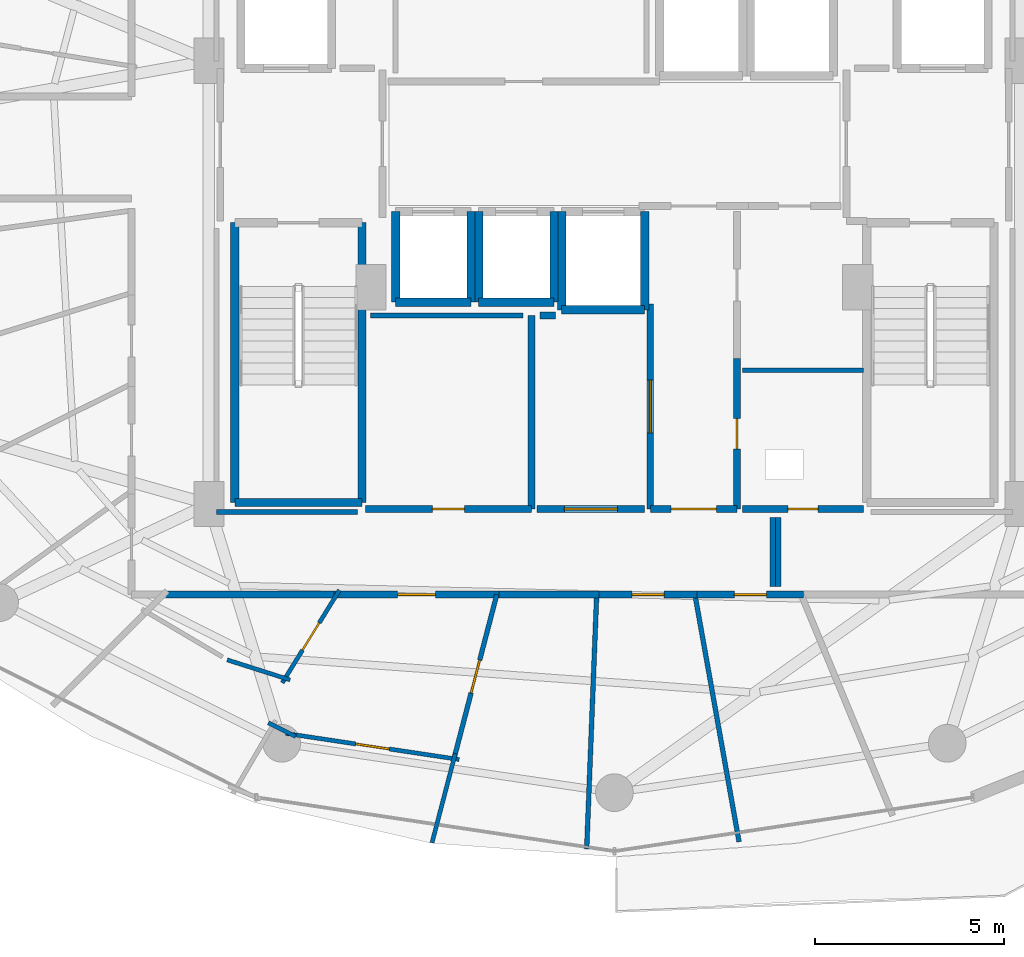
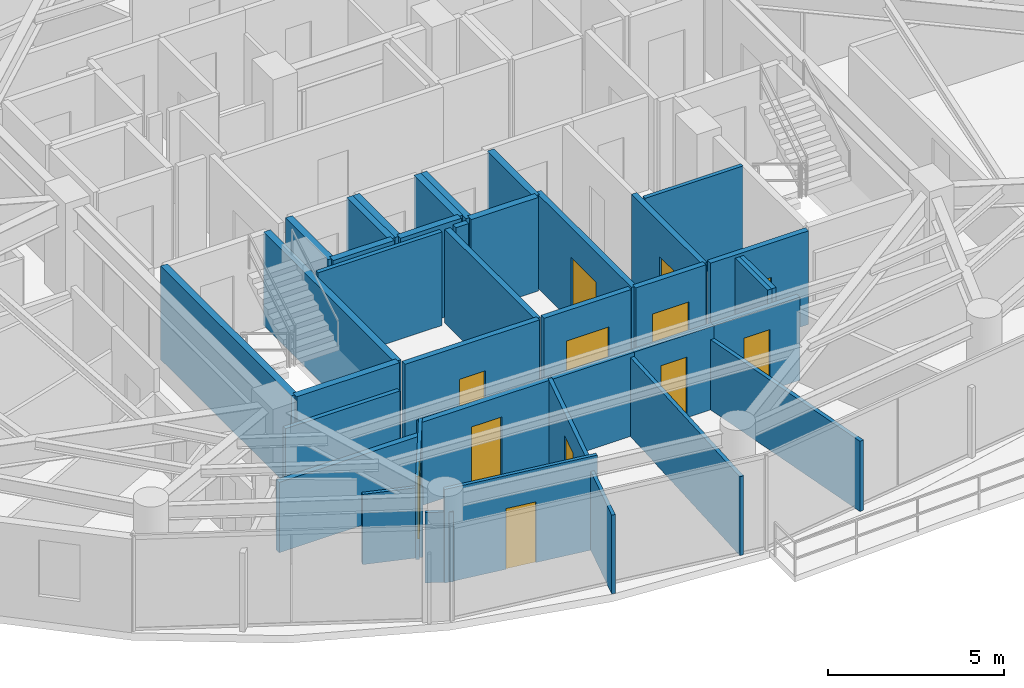
# One storey, part 21 of 29: 38 walls, 12 doors, 12 openings.
"""IFC4 building model written with IfcOpenShell, lengths in metres."""

from ifc_helpers import new_model, si_unit, direction, frame, frame_2d, origin, place, context, subcontext, project, spatial, rectangle, extrude, material, layer, layer_set, type_object, element, fill, save


model = new_model("IFC4")

# Units and contexts
model_context = context("Model", 3, precision=1e-05, world=origin(), true_north=direction((0.0, 1.0)))
body_context = subcontext(model_context, "Body", "Model", "MODEL_VIEW")
ifc_project = project(units=[si_unit("LENGTHUNIT", "METRE"), si_unit("AREAUNIT", "SQUARE_METRE"), si_unit("VOLUMEUNIT", "CUBIC_METRE"), si_unit("PLANEANGLEUNIT", "RADIAN"), si_unit("MASSUNIT", "GRAM", prefix="KILO")], contexts=[model_context])

# Site, building, storey
site_placement = place(None, origin())
site = spatial("IfcSite", under=ifc_project, at=site_placement, CompositionType="ELEMENT")
building_placement = place(site_placement, origin())
building = spatial("IfcBuilding", under=site, at=building_placement, Name="Vorneva Point Tower", CompositionType="ELEMENT")
storey_placement = place(building_placement, frame((0.0, 0.0, 167.60009765625)))
storey = spatial("IfcBuildingStorey", under=building, at=storey_placement, Name="L45", CompositionType="ELEMENT", Elevation=167.60009765625)

# Wall, opening, door
ifc_material_1 = material(Name="Fire-rated acoustic gypsum stud partition", Category="gypsum")
ifc_layer_1 = layer(ifc_material_1, 0.110107421875)
ifc_layer_set_1 = layer_set([ifc_layer_1], Name="Fire-rated acoustic gypsum stud partition")
wall_type_1 = type_object("IfcWallType", Name="WL-PART-110", PredefinedType="PARTITIONING", material=ifc_layer_set_1)
wall_1_placement = place(storey_placement, frame((30.71142578125, 14.169189453125, 0.0), z_axis=(0.0, 0.0, 1.0), x_axis=(-0.524536274856, -0.851388099729, 0.0)))
wall_1 = element("IfcWall", 1, at=wall_1_placement, inside=storey, type_object=wall_type_1, Name="L45 Interior Partition 100", PredefinedType="PARTITIONING", context=body_context, shape_type="SweptSolid", body=[
    extrude(rectangle(XDim=2.88623046875, YDim=0.110107421875, at=frame_2d((1.443115234375, 0.0))), origin(), (0.0, 0.0, 1.0), 2.8740234375),
])
opening_1_placement = place(wall_1_placement, frame((1.01806640625, 0.0, 0.0)))
opening_1 = element("IfcOpeningElement", 2, at=opening_1_placement, cuts=wall_1, Name="Opening ID-02", PredefinedType="OPENING", context=body_context, shape_type="SweptSolid", body=[
    extrude(rectangle(XDim=0.85009765625, YDim=2.10009765625, at=frame_2d((0.425048828125, 1.050048828125))), frame((0.0, 0.06982421875, 0.0), z_axis=(0.0, -1.0, 0.0), x_axis=(1.0, 0.0, 0.0)), (0.0, 0.0, 1.0), 0.139892578125),
])
ifc_material_2 = material(Name="Engineered oak fire-rated door leaf", Category="wood")
door_type_1 = type_object("IfcDoorType", Name="DR-BATH-850", OperationType="NOTDEFINED", PredefinedType="DOOR", material=ifc_material_2)
door_1_placement = place(opening_1_placement, origin())
door_1 = element("IfcDoor", 3, at=door_1_placement, inside=storey, type_object=door_type_1, Name="L45 Door Living and Dining Room L45-05 / Bathroom L45-05", OperationType="SINGLE_SWING_RIGHT", OverallHeight=2.10009765625, OverallWidth=0.85009765625, PredefinedType="DOOR", context=body_context, shape_type="SweptSolid", body=[
    extrude(rectangle(XDim=0.85009765625, YDim=2.10009765625, at=frame_2d((0.425048828125, 1.050048828125))), frame((0.0, 0.02490234375, 0.0), z_axis=(0.0, -1.0, 0.0), x_axis=(1.0, 0.0, 0.0)), (0.0, 0.0, 1.0), 0.050048828125),
])
fill(opening_1, door_1)

# Walls
wall_2_placement = place(storey_placement, frame((29.404296875, 11.788330078125, 0.0), z_axis=(0.0, 0.0, 1.0), x_axis=(-0.952663508426, 0.304026708881, 0.0)))
element("IfcWall", 4, at=wall_2_placement, inside=storey, type_object=wall_type_1, Name="L45 Interior Partition 101", PredefinedType="PARTITIONING", context=body_context, shape_type="SweptSolid", body=[
    extrude(rectangle(XDim=1.75048828125, YDim=0.110107421875, at=frame_2d((0.875244140625, 0.0))), origin(), (0.0, 0.0, 1.0), 2.431884765625),
])
wall_3_placement = place(storey_placement, frame((28.8271484375, 10.6533203125, 0.0), z_axis=(0.0, 0.0, 1.0), x_axis=(0.892195428052, -0.451649552378, 0.0)))
element("IfcWall", 5, at=wall_3_placement, inside=storey, type_object=wall_type_1, Name="L45 Interior Partition 104", PredefinedType="PARTITIONING", context=body_context, shape_type="SweptSolid", body=[
    extrude(rectangle(XDim=0.8134765625, YDim=0.110107421875, at=frame_2d((0.40673828125, 0.0))), origin(), (0.0, 0.0, 1.0), 2.431884765625),
])

# Wall, opening, door
wall_4_placement = place(storey_placement, frame((29.28955078125, 10.369873046875, 0.0), z_axis=(0.0, 0.0, 1.0), x_axis=(0.988895858235, -0.148610166425, 0.0)))
wall_4 = element("IfcWall", 6, at=wall_4_placement, inside=storey, type_object=wall_type_1, Name="L45 Interior Partition 105", PredefinedType="PARTITIONING", context=body_context, shape_type="SweptSolid", body=[
    extrude(rectangle(XDim=4.6474609375, YDim=0.110107421875, at=frame_2d((2.32373046875, 0.0))), origin(), (0.0, 0.0, 1.0), 3.239990234375),
])
opening_2_placement = place(wall_4_placement, frame((1.873779296875, 0.0, 0.0)))
opening_2 = element("IfcOpeningElement", 7, at=opening_2_placement, cuts=wall_4, Name="Opening ID-01", PredefinedType="OPENING", context=body_context, shape_type="SweptSolid", body=[
    extrude(rectangle(XDim=0.89990234375, YDim=2.10009765625, at=frame_2d((0.449951171875, 1.050048828125))), frame((0.0, 0.06982421875, 0.0), z_axis=(0.0, -1.0, 0.0), x_axis=(1.0, 0.0, 0.0)), (0.0, 0.0, 1.0), 0.139892578125),
])
door_type_2 = type_object("IfcDoorType", Name="DR-ROOM-900", OperationType="NOTDEFINED", PredefinedType="DOOR", material=ifc_material_2)
door_2_placement = place(opening_2_placement, origin())
door_2 = element("IfcDoor", 8, at=door_2_placement, inside=storey, type_object=door_type_2, Name="L45 Door Living and Dining Room L45-05 / Kitchen L45-05", OperationType="SINGLE_SWING_LEFT", OverallHeight=2.10009765625, OverallWidth=0.89990234375, PredefinedType="DOOR", context=body_context, shape_type="SweptSolid", body=[
    extrude(rectangle(XDim=0.89990234375, YDim=2.10009765625, at=frame_2d((0.449951171875, 1.050048828125))), frame((0.0, 0.02490234375, 0.0), z_axis=(0.0, -1.0, 0.0), x_axis=(1.0, 0.0, 0.0)), (0.0, 0.0, 1.0), 0.050048828125),
])
fill(opening_2, door_2)

# Walls
wall_5_placement = place(storey_placement, frame((33.16552734375, 7.473388671875, 0.0), z_axis=(0.0, 0.0, 1.0), x_axis=(0.252710924929, 0.967541827737, 0.0)))
element("IfcWall", 9, at=wall_5_placement, inside=storey, type_object=wall_type_1, Name="L45 Interior Partition 108", PredefinedType="PARTITIONING", context=body_context, shape_type="SweptSolid", body=[
    extrude(rectangle(XDim=2.44140625, YDim=0.110107421875, at=frame_2d((1.220703125, 0.0))), origin(), (0.0, 0.0, 1.0), 2.727783203125),
])
ifc_layer_2 = layer(ifc_material_1, 0.125)
ifc_layer_set_2 = layer_set([ifc_layer_2], Name="Fire-rated acoustic gypsum stud partition")
wall_type_2 = type_object("IfcWallType", Name="WL-PART-125", PredefinedType="PARTITIONING", material=ifc_layer_set_2)
wall_6_placement = place(storey_placement, frame((44.60009765625, 20.0, 0.0), z_axis=(0.0, 0.0, 1.0), x_axis=(-1.0, 0.0, 0.0)))
element("IfcWall", 10, at=wall_6_placement, inside=storey, type_object=wall_type_2, Name="L45 Interior Partition 017", PredefinedType="PARTITIONING", context=body_context, shape_type="SweptSolid", body=[
    extrude(rectangle(XDim=3.2001953125, YDim=0.125, at=frame_2d((1.60009765625, 0.0))), origin(), (0.0, 0.0, 1.0), 3.239990234375),
])

# Wall, opening, door
wall_7_placement = place(storey_placement, frame((33.7470703125, 9.699951171875, 0.0), z_axis=(0.0, 0.0, 1.0), x_axis=(0.252463899176, 0.967606314372, 0.0)))
wall_7 = element("IfcWall", 11, at=wall_7_placement, inside=storey, type_object=wall_type_2, Name="L45 Interior Partition 107", PredefinedType="PARTITIONING", context=body_context, shape_type="SweptSolid", body=[
    extrude(rectangle(XDim=4.495849609375, YDim=0.125, at=frame_2d((2.248046875, 0.0))), origin(), (0.0, 0.0, 1.0), 2.8740234375),
])
opening_3_placement = place(wall_7_placement, frame((1.7978515625, 0.0, 0.0)))
opening_3 = element("IfcOpeningElement", 12, at=opening_3_placement, cuts=wall_7, Name="Opening ID-01", PredefinedType="OPENING", context=body_context, shape_type="SweptSolid", body=[
    extrude(rectangle(XDim=0.89990234375, YDim=2.10009765625, at=frame_2d((0.449951171875, 1.050048828125))), frame((0.0, 0.077392578125, 0.0), z_axis=(0.0, -1.0, 0.0), x_axis=(1.0, 0.0, 0.0)), (0.0, 0.0, 1.0), 0.15478515625),
])
door_3_placement = place(opening_3_placement, origin())
door_3 = element("IfcDoor", 13, at=door_3_placement, inside=storey, type_object=door_type_2, Name="L45 Door Living and Dining Room L45-05 / Master Bedroom L45-05.1", OperationType="SINGLE_SWING_RIGHT", OverallHeight=2.10009765625, OverallWidth=0.89990234375, PredefinedType="DOOR", context=body_context, shape_type="SweptSolid", body=[
    extrude(rectangle(XDim=0.89990234375, YDim=2.10009765625, at=frame_2d((0.449951171875, 1.050048828125))), frame((0.0, 0.02490234375, 0.0), z_axis=(0.0, -1.0, 0.0), x_axis=(1.0, 0.0, 0.0)), (0.0, 0.0, 1.0), 0.050048828125),
])
fill(opening_3, door_3)

# Walls
wall_8_placement = place(storey_placement, frame((37.264892578125, 7.304931640625, 0.0), z_axis=(0.0, 0.0, 1.0), x_axis=(0.039277615957, 0.99922833671, 0.0)))
element("IfcWall", 14, at=wall_8_placement, inside=storey, type_object=wall_type_2, Name="L45 Interior Partition 109", PredefinedType="PARTITIONING", context=body_context, shape_type="SweptSolid", body=[
    extrude(rectangle(XDim=6.750244140625, YDim=0.125, at=frame_2d((3.375, 0.0))), origin(), (0.0, 0.0, 1.0), 2.727783203125),
])
wall_9_placement = place(storey_placement, frame((41.303955078125, 7.4970703125, 0.0), z_axis=(0.0, 0.0, 1.0), x_axis=(-0.175753825846, 0.984434148484, 0.0)))
element("IfcWall", 15, at=wall_9_placement, inside=storey, type_object=wall_type_2, Name="L45 Interior Partition 110", PredefinedType="PARTITIONING", context=body_context, shape_type="SweptSolid", body=[
    extrude(rectangle(XDim=6.656494140625, YDim=0.125, at=frame_2d((3.328125, 0.0))), origin(), (0.0, 0.0, 1.0), 2.431884765625),
])
ifc_layer_3 = layer(ifc_material_1, 0.139892578125)
ifc_layer_set_3 = layer_set([ifc_layer_3], Name="Fire-rated acoustic gypsum stud partition")
wall_type_3 = type_object("IfcWallType", Name="WL-PART-140", PredefinedType="PARTITIONING", material=ifc_layer_set_3)
wall_10_placement = place(storey_placement, frame((35.580078125, 21.449951171875, 0.0), z_axis=(0.0, 0.0, 1.0), x_axis=(-1.0, 0.0, 0.0)))
element("IfcWall", 16, at=wall_10_placement, inside=storey, type_object=wall_type_3, Name="L45 Interior Closure Partition 117", PredefinedType="PARTITIONING", context=body_context, shape_type="SweptSolid", body=[
    extrude(rectangle(XDim=4.050048828125, YDim=0.139892578125, at=frame_2d((2.02490234375, 0.0))), origin(), (0.0, 0.0, 1.0), 3.239990234375),
])
wall_11_placement = place(storey_placement, frame((27.449951171875, 16.239990234375, 0.0), z_axis=(0.0, 0.0, 1.0), x_axis=(1.0, 0.0, 0.0)))
element("IfcWall", 17, at=wall_11_placement, inside=storey, type_object=wall_type_3, Name="L45 Interior Closure Partition 128", PredefinedType="PARTITIONING", context=body_context, shape_type="SweptSolid", body=[
    extrude(rectangle(XDim=3.7451171875, YDim=0.139892578125, at=frame_2d((1.87255859375, 0.0))), origin(), (0.0, 0.0, 1.0), 2.431884765625),
])
for number, where, z_axis, x_axis, name in (
    (18, (42.199951171875, 16.10009765625, 0.0), (0.0, 0.0, 1.0), (0.0, -1.0, 0.0), "L45 Interior Closure Partition 129"),
    (19, (42.340087890625, 14.27001953125, 0.0), (0.0, 0.0, 1.0), (0.0, 1.0, 0.0), "L45 Interior Closure Partition 130"),
):
    element("IfcWall", number, at=place(storey_placement, frame(where, z_axis=z_axis, x_axis=x_axis)), inside=storey, type_object=wall_type_3, Name=name, PredefinedType="PARTITIONING", context=body_context, shape_type="SweptSolid", body=[
        extrude(rectangle(XDim=1.830078125, YDim=0.139892578125, at=frame_2d((0.9150390625, 0.0))), origin(), (0.0, 0.0, 1.0), 3.239990234375),
    ])

# Wall, opening, door
ifc_material_3 = material(Name="Autoclaved aerated concrete blockwork", Category="masonry")
ifc_layer_4 = layer(ifc_material_3, 0.179931640625)
ifc_layer_set_4 = layer_set([ifc_layer_4], Name="Autoclaved aerated concrete blockwork")
wall_type_4 = type_object("IfcWallType", Name="WL-PART-180", PredefinedType="PARTITIONING", material=ifc_layer_set_4)
wall_12_placement = place(storey_placement, frame((41.25, 16.320068359375, 0.0), z_axis=(0.0, 0.0, 1.0), x_axis=(0.0, 1.0, 0.0)))
wall_12 = element("IfcWall", 20, at=wall_12_placement, inside=storey, type_object=wall_type_4, Name="L45 Interior Partition 013", PredefinedType="PARTITIONING", context=body_context, shape_type="SweptSolid", body=[
    extrude(rectangle(XDim=3.98486328125, YDim=0.179931640625, at=frame_2d((1.992431640625, 0.0))), origin(), (0.0, 0.0, 1.0), 3.239990234375),
])
opening_4_placement = place(wall_12_placement, frame((1.592529296875, 0.0, 0.0)))
opening_4 = element("IfcOpeningElement", 21, at=opening_4_placement, cuts=wall_12, Name="Opening RD-01", PredefinedType="OPENING", context=body_context, shape_type="SweptSolid", body=[
    extrude(rectangle(XDim=0.800048828125, YDim=2.050048828125, at=frame_2d((0.39990234375, 1.02490234375))), frame((0.0, 0.10498046875, 0.0), z_axis=(0.0, -1.0, 0.0), x_axis=(1.0, 0.0, 0.0)), (0.0, 0.0, 1.0), 0.209716796875),
])
ifc_material_4 = material(Name="Fire-rated powder-coated steel", Category="steel")
door_type_3 = type_object("IfcDoorType", Name="DR-RSR-800", OperationType="SINGLE_SWING_LEFT", PredefinedType="DOOR", material=ifc_material_4)
door_4_placement = place(opening_4_placement, origin())
door_4 = element("IfcDoor", 22, at=door_4_placement, inside=storey, type_object=door_type_3, Name="L45 Door Core Service Lobby / Electrical Riser", OperationType="SINGLE_SWING_LEFT", OverallHeight=2.050048828125, OverallWidth=0.800048828125, PredefinedType="DOOR", context=body_context, shape_type="SweptSolid", body=[
    extrude(rectangle(XDim=0.800048828125, YDim=2.050048828125, at=frame_2d((0.39990234375, 1.02490234375))), frame((0.0, 0.02490234375, 0.0), z_axis=(0.0, -1.0, 0.0), x_axis=(1.0, 0.0, 0.0)), (0.0, 0.0, 1.0), 0.050048828125),
])
fill(opening_4, door_4)

wall_13_placement = place(storey_placement, frame((38.949951171875, 21.7548828125, 0.0), z_axis=(0.0, 0.0, 1.0), x_axis=(0.0, -1.0, 0.0)))
wall_13 = element("IfcWall", 23, at=wall_13_placement, inside=storey, type_object=wall_type_4, Name="L45 Interior Partition 015", PredefinedType="PARTITIONING", context=body_context, shape_type="SweptSolid", body=[
    extrude(rectangle(XDim=5.434814453125, YDim=0.179931640625, at=frame_2d((2.71728515625, 0.0))), origin(), (0.0, 0.0, 1.0), 3.239990234375),
])
opening_5_placement = place(wall_13_placement, frame((2.017578125, 0.0, 0.0)))
opening_5 = element("IfcOpeningElement", 24, at=opening_5_placement, cuts=wall_13, Name="Opening FD-03", PredefinedType="OPENING", context=body_context, shape_type="SweptSolid", body=[
    extrude(rectangle(XDim=1.39990234375, YDim=2.199951171875, at=frame_2d((0.699951171875, 1.10009765625))), frame((0.0, 0.10498046875, 0.0), z_axis=(0.0, -1.0, 0.0), x_axis=(1.0, 0.0, 0.0)), (0.0, 0.0, 1.0), 0.209716796875),
])
door_type_4 = type_object("IfcDoorType", Name="DR-PLT-1400", OperationType="DOUBLE_SWING_LEFT", PredefinedType="DOOR", material=ifc_material_4)
door_5_placement = place(opening_5_placement, origin())
door_5 = element("IfcDoor", 25, at=door_5_placement, inside=storey, type_object=door_type_4, Name="L45 Door Core Service Lobby / Telecoms and Data Room", OperationType="DOUBLE_SWING_LEFT", OverallHeight=2.199951171875, OverallWidth=1.39990234375, PredefinedType="DOOR", context=body_context, shape_type="SweptSolid", body=[
    extrude(rectangle(XDim=1.39990234375, YDim=2.199951171875, at=frame_2d((0.699951171875, 1.10009765625))), frame((0.0, 0.02490234375, 0.0), z_axis=(0.0, -1.0, 0.0), x_axis=(1.0, 0.0, 0.0)), (0.0, 0.0, 1.0), 0.050048828125),
])
fill(opening_5, door_5)

wall_14_placement = place(storey_placement, frame((38.949951171875, 16.320068359375, 0.0), z_axis=(0.0, 0.0, 1.0), x_axis=(1.0, 0.0, 0.0)))
wall_14 = element("IfcWall", 26, at=wall_14_placement, inside=storey, type_object=wall_type_4, Name="L45 Interior Partition 016", PredefinedType="PARTITIONING", context=body_context, shape_type="SweptSolid", body=[
    extrude(rectangle(XDim=2.300048828125, YDim=0.179931640625, at=frame_2d((1.14990234375, 0.0))), origin(), (0.0, 0.0, 1.0), 3.239990234375),
])
opening_6_placement = place(wall_14_placement, frame((0.550048828125, 0.0, 0.0)))
opening_6 = element("IfcOpeningElement", 27, at=opening_6_placement, cuts=wall_14, Name="Opening FD-02", PredefinedType="OPENING", context=body_context, shape_type="SweptSolid", body=[
    extrude(rectangle(XDim=1.199951171875, YDim=2.14990234375, at=frame_2d((0.60009765625, 1.074951171875))), frame((0.0, 0.10498046875, 0.0), z_axis=(0.0, -1.0, 0.0), x_axis=(1.0, 0.0, 0.0)), (0.0, 0.0, 1.0), 0.209716796875),
])
door_type_5 = type_object("IfcDoorType", Name="DR-FFL-1200", OperationType="NOTDEFINED", PredefinedType="DOOR", material=ifc_material_4)
door_6_placement = place(opening_6_placement, origin())
door_6 = element("IfcDoor", 28, at=door_6_placement, inside=storey, type_object=door_type_5, Name="L45 Door Core Service Lobby / L45 Circulation Corridor", OperationType="SINGLE_SWING_RIGHT", OverallHeight=2.14990234375, OverallWidth=1.199951171875, PredefinedType="DOOR", context=body_context, shape_type="SweptSolid", body=[
    extrude(rectangle(XDim=1.199951171875, YDim=2.14990234375, at=frame_2d((0.60009765625, 1.074951171875))), frame((0.0, 0.02490234375, 0.0), z_axis=(0.0, -1.0, 0.0), x_axis=(1.0, 0.0, 0.0)), (0.0, 0.0, 1.0), 0.050048828125),
])
fill(opening_6, door_6)

wall_15_placement = place(storey_placement, frame((41.39990234375, 16.320068359375, 0.0), z_axis=(0.0, 0.0, 1.0), x_axis=(1.0, 0.0, 0.0)))
wall_15 = element("IfcWall", 29, at=wall_15_placement, inside=storey, type_object=wall_type_4, Name="L45 Interior Partition 018", PredefinedType="PARTITIONING", context=body_context, shape_type="SweptSolid", body=[
    extrude(rectangle(XDim=3.2001953125, YDim=0.179931640625, at=frame_2d((1.60009765625, 0.0))), origin(), (0.0, 0.0, 1.0), 3.239990234375),
])
opening_7_placement = place(wall_15_placement, frame((1.199951171875, 0.0, 0.0)))
opening_7 = element("IfcOpeningElement", 30, at=opening_7_placement, cuts=wall_15, Name="Opening RD-01", PredefinedType="OPENING", context=body_context, shape_type="SweptSolid", body=[
    extrude(rectangle(XDim=0.800048828125, YDim=2.050048828125, at=frame_2d((0.39990234375, 1.02490234375))), frame((0.0, 0.10498046875, 0.0), z_axis=(0.0, -1.0, 0.0), x_axis=(1.0, 0.0, 0.0)), (0.0, 0.0, 1.0), 0.209716796875),
])
door_7_placement = place(opening_7_placement, origin())
door_7 = element("IfcDoor", 31, at=door_7_placement, inside=storey, type_object=door_type_3, Name="L45 Door Electrical Riser / L45 Circulation Corridor", OperationType="SINGLE_SWING_LEFT", OverallHeight=2.050048828125, OverallWidth=0.800048828125, PredefinedType="DOOR", context=body_context, shape_type="SweptSolid", body=[
    extrude(rectangle(XDim=0.800048828125, YDim=2.050048828125, at=frame_2d((0.39990234375, 1.02490234375))), frame((0.0, 0.02490234375, 0.0), z_axis=(0.0, -1.0, 0.0), x_axis=(1.0, 0.0, 0.0)), (0.0, 0.0, 1.0), 0.050048828125),
])
fill(opening_7, door_7)

# Wall
wall_16_placement = place(storey_placement, frame((35.800048828125, 16.320068359375, 0.0), z_axis=(0.0, 0.0, 1.0), x_axis=(0.0, 1.0, 0.0)))
element("IfcWall", 32, at=wall_16_placement, inside=storey, type_object=wall_type_4, Name="L45 Interior Partition 027", PredefinedType="PARTITIONING", context=body_context, shape_type="SweptSolid", body=[
    extrude(rectangle(XDim=5.1298828125, YDim=0.179931640625, at=frame_2d((2.56494140625, 0.0))), origin(), (0.0, 0.0, 1.0), 3.239990234375),
])

# Wall, opening, door
wall_17_placement = place(storey_placement, frame((31.39990234375, 16.320068359375, 0.0), z_axis=(0.0, 0.0, 1.0), x_axis=(1.0, 0.0, 0.0)))
wall_17 = element("IfcWall", 33, at=wall_17_placement, inside=storey, type_object=wall_type_4, Name="L45 Interior Partition 028", PredefinedType="PARTITIONING", context=body_context, shape_type="SweptSolid", body=[
    extrude(rectangle(XDim=4.400146484375, YDim=0.179931640625, at=frame_2d((2.2001953125, 0.0))), origin(), (0.0, 0.0, 1.0), 3.239990234375),
])
opening_8_placement = place(wall_17_placement, frame((1.77490234375, 0.0, 0.0)))
opening_8 = element("IfcOpeningElement", 34, at=opening_8_placement, cuts=wall_17, Name="Opening ID-02", PredefinedType="OPENING", context=body_context, shape_type="SweptSolid", body=[
    extrude(rectangle(XDim=0.85009765625, YDim=2.10009765625, at=frame_2d((0.425048828125, 1.050048828125))), frame((0.0, 0.10498046875, 0.0), z_axis=(0.0, -1.0, 0.0), x_axis=(1.0, 0.0, 0.0)), (0.0, 0.0, 1.0), 0.209716796875),
])
door_8_placement = place(opening_8_placement, origin())
door_8 = element("IfcDoor", 35, at=door_8_placement, inside=storey, type_object=door_type_1, Name="L45 Door Bicycle Gear Store / L45 Circulation Corridor", OperationType="SINGLE_SWING_LEFT", OverallHeight=2.10009765625, OverallWidth=0.85009765625, PredefinedType="DOOR", context=body_context, shape_type="SweptSolid", body=[
    extrude(rectangle(XDim=0.85009765625, YDim=2.10009765625, at=frame_2d((0.425048828125, 1.050048828125))), frame((0.0, 0.02490234375, 0.0), z_axis=(0.0, -1.0, 0.0), x_axis=(1.0, 0.0, 0.0)), (0.0, 0.0, 1.0), 0.050048828125),
])
fill(opening_8, door_8)

wall_18_placement = place(storey_placement, frame((35.949951171875, 16.320068359375, 0.0), z_axis=(0.0, 0.0, 1.0), x_axis=(1.0, 0.0, 0.0)))
wall_18 = element("IfcWall", 36, at=wall_18_placement, inside=storey, type_object=wall_type_4, Name="L45 Interior Partition 029", PredefinedType="PARTITIONING", context=body_context, shape_type="SweptSolid", body=[
    extrude(rectangle(XDim=2.85009765625, YDim=0.179931640625, at=frame_2d((1.425048828125, 0.0))), origin(), (0.0, 0.0, 1.0), 3.239990234375),
])
opening_9_placement = place(wall_18_placement, frame((0.72509765625, 0.0, 0.0)))
opening_9 = element("IfcOpeningElement", 37, at=opening_9_placement, cuts=wall_18, Name="Opening FD-03", PredefinedType="OPENING", context=body_context, shape_type="SweptSolid", body=[
    extrude(rectangle(XDim=1.39990234375, YDim=2.199951171875, at=frame_2d((0.699951171875, 1.10009765625))), frame((0.0, 0.10498046875, 0.0), z_axis=(0.0, -1.0, 0.0), x_axis=(1.0, 0.0, 0.0)), (0.0, 0.0, 1.0), 0.209716796875),
])
door_9_placement = place(opening_9_placement, origin())
door_9 = element("IfcDoor", 38, at=door_9_placement, inside=storey, type_object=door_type_4, Name="L45 Door Telecoms and Data Room / L45 Circulation Corridor", OperationType="DOUBLE_SWING_LEFT", OverallHeight=2.199951171875, OverallWidth=1.39990234375, PredefinedType="DOOR", context=body_context, shape_type="SweptSolid", body=[
    extrude(rectangle(XDim=1.39990234375, YDim=2.199951171875, at=frame_2d((0.699951171875, 1.10009765625))), frame((0.0, 0.02490234375, 0.0), z_axis=(0.0, -1.0, 0.0), x_axis=(1.0, 0.0, 0.0)), (0.0, 0.0, 1.0), 0.050048828125),
])
fill(opening_9, door_9)

wall_19_placement = place(storey_placement, frame((30.568115234375, 14.050048828125, 0.0), z_axis=(0.0, 0.0, 1.0), x_axis=(1.0, 0.0, 0.0)))
wall_19 = element("IfcWall", 39, at=wall_19_placement, inside=storey, type_object=wall_type_4, Name="L45 Interior Partition 048", PredefinedType="PARTITIONING", context=body_context, shape_type="SweptSolid", body=[
    extrude(rectangle(XDim=4.373779296875, YDim=0.179931640625, at=frame_2d((2.18701171875, 0.0))), origin(), (0.0, 0.0, 1.0), 2.8740234375),
])
opening_10_placement = place(wall_19_placement, frame((1.68701171875, 0.0, 0.0)))
opening_10 = element("IfcOpeningElement", 40, at=opening_10_placement, cuts=wall_19, Name="Opening UD-01", PredefinedType="OPENING", context=body_context, shape_type="SweptSolid", body=[
    extrude(rectangle(XDim=1.0, YDim=2.14990234375, at=frame_2d((0.5, 1.074951171875))), frame((0.0, 0.10498046875, 0.0), z_axis=(0.0, -1.0, 0.0), x_axis=(1.0, 0.0, 0.0)), (0.0, 0.0, 1.0), 0.209716796875),
])
door_type_6 = type_object("IfcDoorType", Name="DR-UNIT-1000", OperationType="NOTDEFINED", PredefinedType="DOOR", material=ifc_material_2)
door_10_placement = place(opening_10_placement, origin())
door_10 = element("IfcDoor", 41, at=door_10_placement, inside=storey, type_object=door_type_6, Name="L45 Door L45 Circulation Corridor / Living and Dining Room L45-05", OperationType="SINGLE_SWING_LEFT", OverallHeight=2.14990234375, OverallWidth=1.0, PredefinedType="DOOR", context=body_context, shape_type="SweptSolid", body=[
    extrude(rectangle(XDim=1.0, YDim=2.14990234375, at=frame_2d((0.5, 1.074951171875))), frame((0.0, 0.02490234375, 0.0), z_axis=(0.0, -1.0, 0.0), x_axis=(1.0, 0.0, 0.0)), (0.0, 0.0, 1.0), 0.050048828125),
])
fill(opening_10, door_10)

# Walls
wall_20_placement = place(storey_placement, frame((25.969970703125, 14.050048828125, 0.0), z_axis=(0.0, 0.0, 1.0), x_axis=(1.0, 0.0, 0.0)))
element("IfcWall", 42, at=wall_20_placement, inside=storey, type_object=wall_type_4, Name="L45 Interior Partition 049", PredefinedType="PARTITIONING", context=body_context, shape_type="SweptSolid", body=[
    extrude(rectangle(XDim=4.738037109375, YDim=0.179931640625, at=frame_2d((2.369140625, 0.0))), origin(), (0.0, 0.0, 1.0), 2.431884765625),
])
wall_21_placement = place(storey_placement, frame((34.94189453125, 14.050048828125, 0.0), z_axis=(0.0, 0.0, 1.0), x_axis=(1.0, 0.0, 0.0)))
element("IfcWall", 43, at=wall_21_placement, inside=storey, type_object=wall_type_4, Name="L45 Interior Partition 050", PredefinedType="PARTITIONING", context=body_context, shape_type="SweptSolid", body=[
    extrude(rectangle(XDim=2.648193359375, YDim=0.179931640625, at=frame_2d((1.32421875, 0.0))), origin(), (0.0, 0.0, 1.0), 2.8740234375),
])

# Wall, opening, door
wall_22_placement = place(storey_placement, frame((37.590087890625, 14.050048828125, 0.0), z_axis=(0.0, 0.0, 1.0), x_axis=(1.0, 0.0, 0.0)))
wall_22 = element("IfcWall", 44, at=wall_22_placement, inside=storey, type_object=wall_type_4, Name="L45 Interior Partition 051", PredefinedType="PARTITIONING", context=body_context, shape_type="SweptSolid", body=[
    extrude(rectangle(XDim=2.60498046875, YDim=0.179931640625, at=frame_2d((1.302490234375, 0.0))), origin(), (0.0, 0.0, 1.0), 2.8740234375),
])
opening_11_placement = place(wall_22_placement, frame((0.87744140625, 0.0, 0.0)))
opening_11 = element("IfcOpeningElement", 45, at=opening_11_placement, cuts=wall_22, Name="Opening ID-02", PredefinedType="OPENING", context=body_context, shape_type="SweptSolid", body=[
    extrude(rectangle(XDim=0.85009765625, YDim=2.10009765625, at=frame_2d((0.425048828125, 1.050048828125))), frame((0.0, 0.10498046875, 0.0), z_axis=(0.0, -1.0, 0.0), x_axis=(1.0, 0.0, 0.0)), (0.0, 0.0, 1.0), 0.209716796875),
])
door_11_placement = place(opening_11_placement, origin())
door_11 = element("IfcDoor", 46, at=door_11_placement, inside=storey, type_object=door_type_1, Name="L45 Access Door L45 Circulation Corridor", OperationType="SINGLE_SWING_RIGHT", OverallHeight=2.10009765625, OverallWidth=0.85009765625, PredefinedType="DOOR", context=body_context, shape_type="SweptSolid", body=[
    extrude(rectangle(XDim=0.85009765625, YDim=2.10009765625, at=frame_2d((0.425048828125, 1.050048828125))), frame((0.0, 0.02490234375, 0.0), z_axis=(0.0, -1.0, 0.0), x_axis=(1.0, 0.0, 0.0)), (0.0, 0.0, 1.0), 0.050048828125),
])
fill(opening_11, door_11)

wall_23_placement = place(storey_placement, frame((40.195068359375, 14.050048828125, 0.0), z_axis=(0.0, 0.0, 1.0), x_axis=(1.0, 0.0, 0.0)))
wall_23 = element("IfcWall", 47, at=wall_23_placement, inside=storey, type_object=wall_type_4, Name="L45 Interior Partition 052", PredefinedType="PARTITIONING", context=body_context, shape_type="SweptSolid", body=[
    extrude(rectangle(XDim=2.81982421875, YDim=0.179931640625, at=frame_2d((1.409912109375, 0.0))), origin(), (0.0, 0.0, 1.0), 2.8740234375),
])
opening_12_placement = place(wall_23_placement, frame((0.985107421875, 0.0, 0.0)))
opening_12 = element("IfcOpeningElement", 48, at=opening_12_placement, cuts=wall_23, Name="Opening ID-02", PredefinedType="OPENING", context=body_context, shape_type="SweptSolid", body=[
    extrude(rectangle(XDim=0.85009765625, YDim=2.10009765625, at=frame_2d((0.425048828125, 1.050048828125))), frame((0.0, 0.10498046875, 0.0), z_axis=(0.0, -1.0, 0.0), x_axis=(1.0, 0.0, 0.0)), (0.0, 0.0, 1.0), 0.209716796875),
])
door_12_placement = place(opening_12_placement, origin())
door_12 = element("IfcDoor", 49, at=door_12_placement, inside=storey, type_object=door_type_1, Name="L45 Access Door L45 Circulation Corridor", OperationType="SINGLE_SWING_LEFT", OverallHeight=2.10009765625, OverallWidth=0.85009765625, PredefinedType="DOOR", context=body_context, shape_type="SweptSolid", body=[
    extrude(rectangle(XDim=0.85009765625, YDim=2.10009765625, at=frame_2d((0.425048828125, 1.050048828125))), frame((0.0, 0.02490234375, 0.0), z_axis=(0.0, -1.0, 0.0), x_axis=(1.0, 0.0, 0.0)), (0.0, 0.0, 1.0), 0.050048828125),
])
fill(opening_12, door_12)

# Walls
wall_24_placement = place(storey_placement, frame((36.43896484375, 21.449951171875, 0.0), z_axis=(0.0, 0.0, 1.0), x_axis=(-1.0, 0.0, 0.0)))
element("IfcWall", 50, at=wall_24_placement, inside=storey, type_object=wall_type_4, Name="L45 Interior Closure Partition 118", PredefinedType="PARTITIONING", context=body_context, shape_type="SweptSolid", body=[
    extrude(rectangle(XDim=0.408935546875, YDim=0.179931640625, at=frame_2d((0.20458984375, 0.0))), origin(), (0.0, 0.0, 1.0), 3.239990234375),
])
ifc_material_5 = material(Name="Concrete B50 (C40/50)", Category="concrete")
ifc_layer_5 = layer(ifc_material_5, 0.219970703125)
ifc_layer_set_5 = layer_set([ifc_layer_5], Name="Concrete B50 (C40/50)")
wall_type_5 = type_object("IfcWallType", Name="WL-SHFT-220", PredefinedType="SOLIDWALL", material=ifc_layer_set_5)
wall_25_placement = place(storey_placement, frame((31.31005859375, 23.909912109375, 0.0), z_axis=(0.0, 0.0, 1.0), x_axis=(0.0, -1.0, 0.0)))
element("IfcWall", 51, at=wall_25_placement, inside=storey, type_object=wall_type_5, Name="L45 Exit Stair ST1 Shaft Wall right", PredefinedType="SOLIDWALL", context=body_context, shape_type="SweptSolid", body=[
    extrude(rectangle(XDim=7.419921875, YDim=0.219970703125, at=frame_2d((3.7099609375, 0.0))), origin(), (0.0, 0.0, 1.0), 3.239990234375),
])
wall_26_placement = place(storey_placement, frame((31.31005859375, 16.489990234375, 0.0), z_axis=(0.0, 0.0, 1.0), x_axis=(-1.0, 0.0, 0.0)))
element("IfcWall", 52, at=wall_26_placement, inside=storey, type_object=wall_type_5, Name="L45 Exit Stair ST1 Shaft Wall far", PredefinedType="SOLIDWALL", context=body_context, shape_type="SweptSolid", body=[
    extrude(rectangle(XDim=3.3701171875, YDim=0.219970703125, at=frame_2d((1.68505859375, 0.0))), origin(), (0.0, 0.0, 1.0), 3.239990234375),
])
wall_27_placement = place(storey_placement, frame((27.93994140625, 16.489990234375, 0.0), z_axis=(0.0, 0.0, 1.0), x_axis=(0.0, 1.0, 0.0)))
element("IfcWall", 53, at=wall_27_placement, inside=storey, type_object=wall_type_5, Name="L45 Exit Stair ST1 Shaft Wall left", PredefinedType="SOLIDWALL", context=body_context, shape_type="SweptSolid", body=[
    extrude(rectangle(XDim=7.419921875, YDim=0.219970703125, at=frame_2d((3.7099609375, 0.0))), origin(), (0.0, 0.0, 1.0), 3.239990234375),
])
wall_28_placement = place(storey_placement, frame((32.199951171875, 21.800048828125, 0.0), z_axis=(0.0, 0.0, 1.0), x_axis=(1.0, 0.0, 0.0)))
element("IfcWall", 54, at=wall_28_placement, inside=storey, type_object=wall_type_5, Name="L45 Lift PL4 Shaft Wall -Y", PredefinedType="SOLIDWALL", context=body_context, shape_type="SweptSolid", body=[
    extrude(rectangle(XDim=2.0, YDim=0.219970703125, at=frame_2d((1.0, 0.0))), origin(), (0.0, 0.0, 1.0), 3.239990234375),
])
for number, where, z_axis, x_axis, name in (
    (55, (34.199951171875, 21.800048828125, 0.0), (0.0, 0.0, 1.0), (0.0, 1.0, 0.0), "L45 Lift PL4 Shaft Wall +X"),
    (56, (32.199951171875, 24.199951171875, 0.0), (0.0, 0.0, 1.0), (0.0, -1.0, 0.0), "L45 Lift PL4 Shaft Wall -X"),
):
    element("IfcWall", number, at=place(storey_placement, frame(where, z_axis=z_axis, x_axis=x_axis)), inside=storey, type_object=wall_type_5, Name=name, PredefinedType="SOLIDWALL", context=body_context, shape_type="SweptSolid", body=[
        extrude(rectangle(XDim=2.39990234375, YDim=0.219970703125, at=frame_2d((1.199951171875, 0.0))), origin(), (0.0, 0.0, 1.0), 3.239990234375),
    ])
wall_29_placement = place(storey_placement, frame((34.39990234375, 21.800048828125, 0.0), z_axis=(0.0, 0.0, 1.0), x_axis=(1.0, 0.0, 0.0)))
element("IfcWall", 57, at=wall_29_placement, inside=storey, type_object=wall_type_5, Name="L45 Lift PL5 Shaft Wall -Y", PredefinedType="SOLIDWALL", context=body_context, shape_type="SweptSolid", body=[
    extrude(rectangle(XDim=2.0, YDim=0.219970703125, at=frame_2d((1.0, 0.0))), origin(), (0.0, 0.0, 1.0), 3.239990234375),
])
for number, where, z_axis, x_axis, name in (
    (58, (36.39990234375, 21.800048828125, 0.0), (0.0, 0.0, 1.0), (0.0, 1.0, 0.0), "L45 Lift PL5 Shaft Wall +X"),
    (59, (34.39990234375, 24.199951171875, 0.0), (0.0, 0.0, 1.0), (0.0, -1.0, 0.0), "L45 Lift PL5 Shaft Wall -X"),
):
    element("IfcWall", number, at=place(storey_placement, frame(where, z_axis=z_axis, x_axis=x_axis)), inside=storey, type_object=wall_type_5, Name=name, PredefinedType="SOLIDWALL", context=body_context, shape_type="SweptSolid", body=[
        extrude(rectangle(XDim=2.39990234375, YDim=0.219970703125, at=frame_2d((1.199951171875, 0.0))), origin(), (0.0, 0.0, 1.0), 3.239990234375),
    ])
wall_30_placement = place(storey_placement, frame((36.60009765625, 21.60009765625, 0.0), z_axis=(0.0, 0.0, 1.0), x_axis=(1.0, 0.0, 0.0)))
element("IfcWall", 60, at=wall_30_placement, inside=storey, type_object=wall_type_5, Name="L45 Lift PL6 Shaft Wall -Y", PredefinedType="SOLIDWALL", context=body_context, shape_type="SweptSolid", body=[
    extrude(rectangle(XDim=2.199951171875, YDim=0.219970703125, at=frame_2d((1.10009765625, 0.0))), origin(), (0.0, 0.0, 1.0), 3.239990234375),
])
for number, where, z_axis, x_axis, name in (
    (61, (38.800048828125, 21.60009765625, 0.0), (0.0, 0.0, 1.0), (0.0, 1.0, 0.0), "L45 Lift PL6 Shaft Wall +X"),
    (62, (36.60009765625, 24.199951171875, 0.0), (0.0, 0.0, 1.0), (0.0, -1.0, 0.0), "L45 Lift PL6 Shaft Wall -X"),
):
    element("IfcWall", number, at=place(storey_placement, frame(where, z_axis=z_axis, x_axis=x_axis)), inside=storey, type_object=wall_type_5, Name=name, PredefinedType="SOLIDWALL", context=body_context, shape_type="SweptSolid", body=[
        extrude(rectangle(XDim=2.599853515625, YDim=0.219970703125, at=frame_2d((1.2998046875, 0.0))), origin(), (0.0, 0.0, 1.0), 3.239990234375),
    ])

save(model, "model.ifc")
